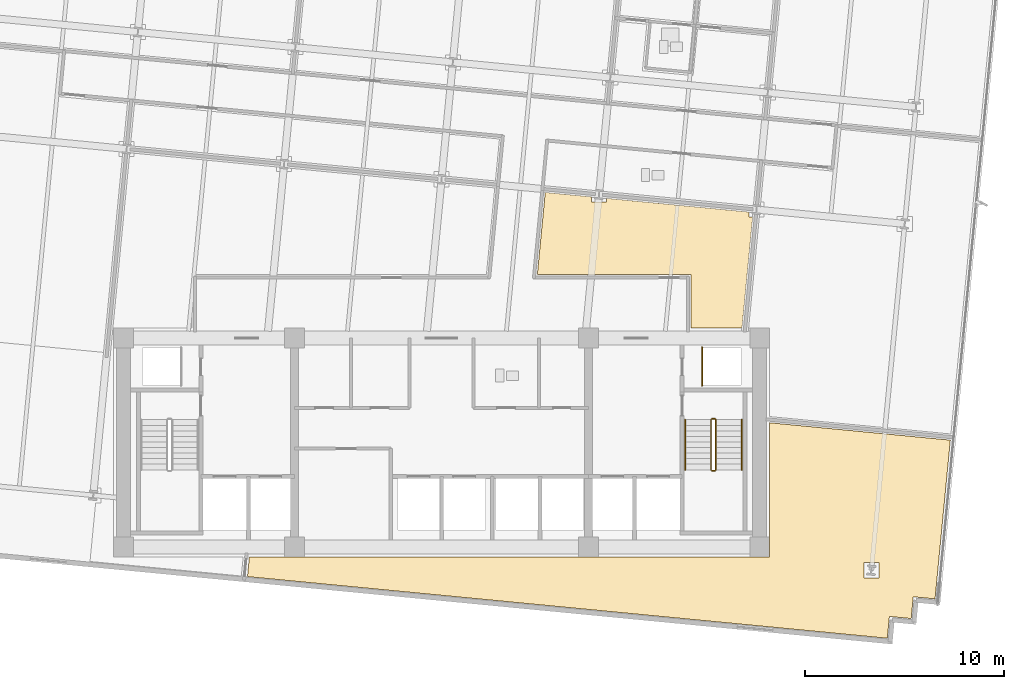
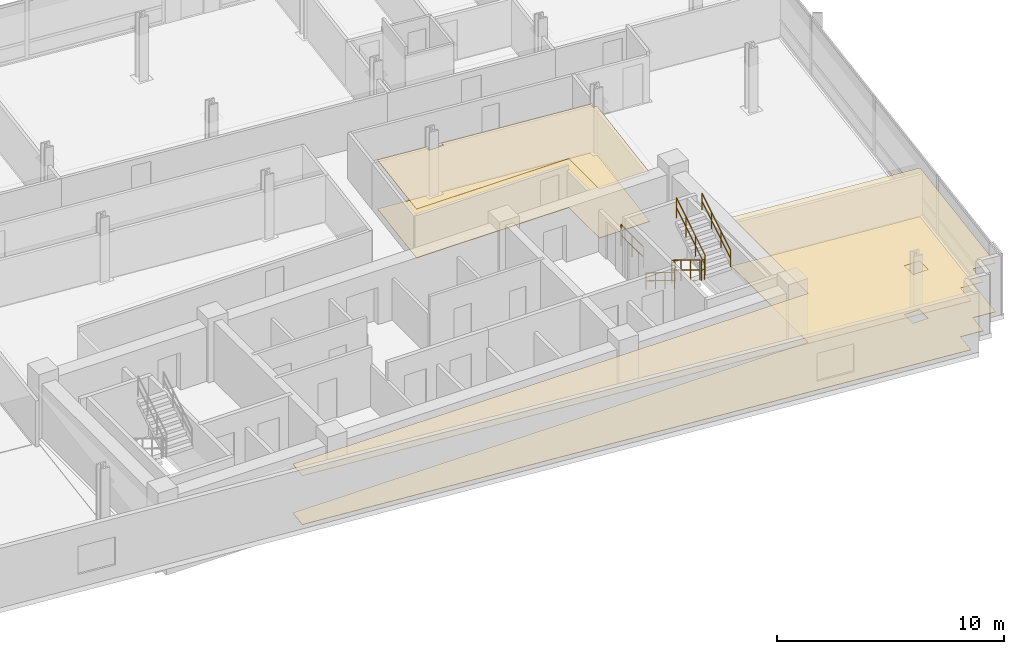
# One storey, part 14 of 16: 7 railings, 4 coverings.
"""IFC4 building model written with IfcOpenShell, lengths in metres."""

from ifc_helpers import new_model, si_unit, direction, frame, origin, origin_2d, place, context, subcontext, project, spatial, polyline, circle, outline, extrude, material, layer, layer_set, type_object, element, save


model = new_model("IFC4")

# Units and contexts
model_context = context("Model", 3, precision=1e-05, world=origin(), true_north=direction((0.0, 1.0)))
body_context = subcontext(model_context, "Body", "Model", "MODEL_VIEW")
ifc_project = project(units=[si_unit("LENGTHUNIT", "METRE"), si_unit("AREAUNIT", "SQUARE_METRE"), si_unit("VOLUMEUNIT", "CUBIC_METRE"), si_unit("PLANEANGLEUNIT", "RADIAN"), si_unit("MASSUNIT", "GRAM", prefix="KILO")], contexts=[model_context])

# Site, building, storey
site_placement = place(None, origin())
site = spatial("IfcSite", under=ifc_project, at=site_placement, CompositionType="ELEMENT")
building_placement = place(site_placement, origin())
building = spatial("IfcBuilding", under=site, at=building_placement, Name="Solmavex Isthmus Hotel", CompositionType="ELEMENT")
storey_placement = place(building_placement, frame((0.0, 0.0, 166.949951171875)))
storey = spatial("IfcBuildingStorey", under=building, at=storey_placement, Name="L45", CompositionType="ELEMENT", Elevation=166.949951171875)

# Coverings
ifc_material_1 = material(Name="Gypsum plasterboard lining", Category="gypsum")
ifc_layer_1 = layer(ifc_material_1, 0.030029296875)
ifc_layer_set_1 = layer_set([ifc_layer_1], Name="Gypsum plasterboard lining")
covering_type_1 = type_object("IfcCoveringType", Name="COV-CEIL-GYP", PredefinedType="CEILING", material=ifc_layer_set_1)
covering_1_placement = place(storey_placement, frame((0.0, 0.0, 2.6201171875)))
element("IfcCovering", 1, at=covering_1_placement, inside=storey, type_object=covering_type_1, Name="Suspended Acoustic Ceiling L45-FL07", PredefinedType="CEILING", context=body_context, shape_type="SweptSolid", body=[
    extrude(outline(polyline([(8.300537109375, 4.535400390625), (8.300537109375, 4.347900390625), (7.540771484375, 4.347900390625), (7.540771484375, 4.608642578125), (5.21533203125, 4.83251953125), (4.81787109375, 0.705078125), (12.554931640625, 0.705078125), (12.554931640625, -1.9951171875), (15.1103515625, -1.9951171875), (15.647705078125, 3.585205078125), (15.4599609375, 3.585205078125), (15.4599609375, 3.84619140625), (8.300537109375, 4.535400390625)])), origin(), (0.0, 0.0, 1.0), 0.030029296875),
])
covering_2_placement = place(storey_placement, frame((0.0, 0.0, 2.6201171875)))
element("IfcCovering", 2, at=covering_2_placement, inside=storey, type_object=covering_type_1, Name="Suspended Acoustic Ceiling L45-FL11", PredefinedType="CEILING", context=body_context, shape_type="SweptSolid", body=[
    extrude(outline(polyline([(21.59619140625, -17.51025390625), (22.41748046875, -17.58935546875), (22.496337890625, -16.768310546875), (22.522705078125, -16.494384765625), (23.61767578125, -16.599853515625), (23.72314453125, -15.5048828125), (24.818115234375, -15.6103515625), (24.897216796875, -14.789306640625), (25.5869140625, -7.62744140625), (16.5048828125, -6.7529296875), (16.5048828125, -13.5048828125), (-9.664794921875, -13.5048828125), (-9.6806640625, -13.669921875), (-9.759765625, -14.4912109375), (13.843994140625, -16.763916015625), (21.59619140625, -17.51025390625)]), holes=[polyline([(21.236328125, -14.552001953125), (21.236328125, -13.7919921875), (21.996337890625, -13.7919921875), (21.996337890625, -14.552001953125), (21.236328125, -14.552001953125)])]), origin(), (0.0, 0.0, 1.0), 0.030029296875),
])
ifc_material_2 = material(Name="Travertine natural stone", Category="masonry")
ifc_layer_2 = layer(ifc_material_2, 0.02490234375)
ifc_layer_set_2 = layer_set([ifc_layer_2], Name="Travertine natural stone")
covering_type_2 = type_object("IfcCoveringType", Name="COV-FLOR-STN", PredefinedType="FLOORING", material=ifc_layer_set_2)
covering_3_placement = place(storey_placement, origin())
element("IfcCovering", 3, at=covering_3_placement, inside=storey, type_object=covering_type_2, Name="Stone and Timber Floor Finish L45-FL07", PredefinedType="FLOORING", context=body_context, shape_type="SweptSolid", body=[
    extrude(outline(polyline([(8.300537109375, 4.535400390625), (8.300537109375, 4.347900390625), (7.540771484375, 4.347900390625), (7.540771484375, 4.608642578125), (5.21533203125, 4.83251953125), (4.81787109375, 0.705078125), (12.554931640625, 0.705078125), (12.554931640625, -1.9951171875), (15.1103515625, -1.9951171875), (15.647705078125, 3.585205078125), (15.4599609375, 3.585205078125), (15.4599609375, 3.84619140625), (8.300537109375, 4.535400390625)])), origin(), (0.0, 0.0, 1.0), 0.025146484375),
])
covering_4_placement = place(storey_placement, origin())
element("IfcCovering", 4, at=covering_4_placement, inside=storey, type_object=covering_type_2, Name="Stone and Timber Floor Finish L45-FL11", PredefinedType="FLOORING", context=body_context, shape_type="SweptSolid", body=[
    extrude(outline(polyline([(21.59619140625, -17.51025390625), (22.41748046875, -17.58935546875), (22.496337890625, -16.768310546875), (22.522705078125, -16.494384765625), (23.61767578125, -16.599853515625), (23.72314453125, -15.5048828125), (24.818115234375, -15.6103515625), (24.897216796875, -14.789306640625), (25.5869140625, -7.62744140625), (16.5048828125, -6.7529296875), (16.5048828125, -13.5048828125), (-9.664794921875, -13.5048828125), (-9.6806640625, -13.669921875), (-9.759765625, -14.4912109375), (13.843994140625, -16.763916015625), (21.59619140625, -17.51025390625)]), holes=[polyline([(21.236328125, -14.552001953125), (21.236328125, -13.7919921875), (21.996337890625, -13.7919921875), (21.996337890625, -14.552001953125), (21.236328125, -14.552001953125)])]), origin(), (0.0, 0.0, 1.0), 0.025146484375),
])

# Railings
ifc_material_3 = material(Name="Clear low-E laminated glass", Category="glass")
ifc_layer_3 = layer(ifc_material_3, 0.080078125)
ifc_layer_set_3 = layer_set([ifc_layer_3], Name="Clear low-E laminated glass")
railing_type_1 = type_object("IfcRailingType", Name="RAIL-ATRIUM-1120", PredefinedType="BALUSTRADE", material=ifc_layer_set_3)
railing_1_placement = place(storey_placement, frame((13.10009765625, -4.89990234375, 0.0)))
element("IfcRailing", 5, at=railing_1_placement, inside=storey, type_object=railing_type_1, Name="Guardrail Balustrade L45-RSE-01", PredefinedType="BALUSTRADE", context=body_context, shape_type="SweptSolid", body=[
    extrude(circle(Radius=0.02392578125, at=origin_2d()), frame((0.0, 0.0, 1.1259765625), z_axis=(0.0, 1.0, 0.0), x_axis=(-1.0, 0.0, 0.0)), (0.0, 0.0, 1.0), 1.949951171875),
    extrude(circle(Radius=0.02392578125, at=origin_2d()), frame((0.0, 0.0, 0.574951171875), z_axis=(0.0, 1.0, 0.0), x_axis=(-1.0, 0.0, 0.0)), (0.0, 0.0, 1.0), 1.949951171875),
    extrude(circle(Radius=0.02099609375, at=origin_2d()), origin(), (0.0, 0.0, 1.0), 1.101806640625),
    extrude(circle(Radius=0.02099609375, at=origin_2d()), frame((0.0, 0.97509765625, 0.0)), (0.0, 0.0, 1.0), 1.101806640625),
    extrude(circle(Radius=0.02099609375, at=origin_2d()), frame((0.0, 1.949951171875, 0.0)), (0.0, 0.0, 1.0), 1.101806640625),
])
ifc_material_4 = material(Name="Stainless steel 316", Category="steel")
ifc_layer_4 = layer(ifc_material_4, 0.06005859375)
ifc_layer_set_4 = layer_set([ifc_layer_4], Name="Stainless steel 316")
railing_type_2 = type_object("IfcRailingType", Name="RAIL-STAIR-GD", PredefinedType="GUARDRAIL", material=ifc_layer_set_4)
railing_2_placement = place(storey_placement, frame((13.550048828125, -6.60009765625, 0.172607421875)))
element("IfcRailing", 6, at=railing_2_placement, inside=storey, type_object=railing_type_2, Name="L45 ST-2 stair guard 1", PredefinedType="GUARDRAIL", context=body_context, shape_type="SweptSolid", body=[
    extrude(circle(Radius=0.02392578125, at=origin_2d()), frame((0.0, 0.0, 1.09619140625), z_axis=(0.0, -0.851400495292, 0.524516154772), x_axis=(1.0, 0.0, 0.0)), (0.0, 0.0, 1.0), 2.9599609375),
    extrude(circle(Radius=0.02392578125, at=origin_2d()), frame((0.0, 0.0, 0.56005859375), z_axis=(0.0, -0.851400495292, 0.524516154772), x_axis=(1.0, 0.0, 0.0)), (0.0, 0.0, 1.0), 2.9599609375),
    extrude(circle(Radius=0.02099609375, at=origin_2d()), origin(), (0.0, 0.0, 1.0), 1.072021484375),
    extrude(circle(Radius=0.02099609375, at=origin_2d()), frame((0.0, -0.840087890625, 0.517578125)), (0.0, 0.0, 1.0), 1.072021484375),
    extrude(circle(Radius=0.02099609375, at=origin_2d()), frame((0.0, -1.679931640625, 1.034912109375)), (0.0, 0.0, 1.0), 1.072021484375),
    extrude(circle(Radius=0.02099609375, at=origin_2d()), frame((0.0, -2.52001953125, 1.552490234375)), (0.0, 0.0, 1.0), 1.072021484375),
])
railing_3_placement = place(storey_placement, frame((13.60009765625, -9.169921875, 1.72509765625)))
element("IfcRailing", 7, at=railing_3_placement, inside=storey, type_object=railing_type_2, Name="L45 ST-2 stair guard 2", PredefinedType="GUARDRAIL", context=body_context, shape_type="SweptSolid", body=[
    extrude(circle(Radius=0.02392578125, at=origin_2d()), frame((0.0, 0.0, 1.09619140625), z_axis=(1.0, 0.0, 0.0), x_axis=(0.0, 1.0, 0.0)), (0.0, 0.0, 1.0), 0.14990234375),
    extrude(circle(Radius=0.02392578125, at=origin_2d()), frame((0.0, 0.0, 0.56005859375), z_axis=(1.0, 0.0, 0.0), x_axis=(0.0, 1.0, 0.0)), (0.0, 0.0, 1.0), 0.14990234375),
    extrude(circle(Radius=0.02099609375, at=origin_2d()), origin(), (0.0, 0.0, 1.0), 1.072021484375),
    extrude(circle(Radius=0.02099609375, at=origin_2d()), frame((0.14990234375, 0.0, 0.0)), (0.0, 0.0, 1.0), 1.072021484375),
])
railing_4_placement = place(storey_placement, frame((13.800048828125, -9.1201171875, 1.8974609375)))
element("IfcRailing", 8, at=railing_4_placement, inside=storey, type_object=railing_type_2, Name="L45 ST-2 stair guard 3", PredefinedType="GUARDRAIL", context=body_context, shape_type="SweptSolid", body=[
    extrude(circle(Radius=0.02392578125, at=origin_2d()), frame((0.0, 0.0, 1.09619140625), z_axis=(0.0, 0.851400495292, 0.524516154772), x_axis=(-1.0, 0.0, 0.0)), (0.0, 0.0, 1.0), 2.9599609375),
    extrude(circle(Radius=0.02392578125, at=origin_2d()), frame((0.0, 0.0, 0.56005859375), z_axis=(0.0, 0.851400495292, 0.524516154772), x_axis=(-1.0, 0.0, 0.0)), (0.0, 0.0, 1.0), 2.9599609375),
    extrude(circle(Radius=0.02099609375, at=origin_2d()), origin(), (0.0, 0.0, 1.0), 1.072021484375),
    extrude(circle(Radius=0.02099609375, at=origin_2d()), frame((0.0, 0.840087890625, 0.517578125)), (0.0, 0.0, 1.0), 1.072021484375),
    extrude(circle(Radius=0.02099609375, at=origin_2d()), frame((0.0, 1.679931640625, 1.034912109375)), (0.0, 0.0, 1.0), 1.072021484375),
    extrude(circle(Radius=0.02099609375, at=origin_2d()), frame((0.0, 2.52001953125, 1.552490234375)), (0.0, 0.0, 1.0), 1.072021484375),
])
railing_5_placement = place(storey_placement, frame((13.60009765625, -6.550048828125, 0.0)))
element("IfcRailing", 9, at=railing_5_placement, inside=storey, type_object=railing_type_2, Name="L45 ST-2 stair guard 4", PredefinedType="GUARDRAIL", context=body_context, shape_type="SweptSolid", body=[
    extrude(circle(Radius=0.02392578125, at=origin_2d()), frame((0.0, 0.0, 1.09619140625), z_axis=(1.0, 0.0, 0.0), x_axis=(0.0, 1.0, 0.0)), (0.0, 0.0, 1.0), 0.14990234375),
    extrude(circle(Radius=0.02392578125, at=origin_2d()), frame((0.0, 0.0, 0.56005859375), z_axis=(1.0, 0.0, 0.0), x_axis=(0.0, 1.0, 0.0)), (0.0, 0.0, 1.0), 0.14990234375),
    extrude(circle(Radius=0.02099609375, at=origin_2d()), origin(), (0.0, 0.0, 1.0), 1.072021484375),
    extrude(circle(Radius=0.02099609375, at=origin_2d()), frame((0.14990234375, 0.0, 0.0)), (0.0, 0.0, 1.0), 1.072021484375),
])
ifc_layer_5 = layer(ifc_material_4, 0.050048828125)
ifc_layer_set_5 = layer_set([ifc_layer_5], Name="Stainless steel 316")
railing_type_3 = type_object("IfcRailingType", Name="RAIL-STAIR-HR", PredefinedType="HANDRAIL", material=ifc_layer_set_5)
railing_6_placement = place(storey_placement, frame((12.25, -6.60009765625, 0.172607421875)))
element("IfcRailing", 10, at=railing_6_placement, inside=storey, type_object=railing_type_3, Name="L45 ST-2 stair handrail 1", PredefinedType="HANDRAIL", context=body_context, shape_type="SweptSolid", body=[
    extrude(circle(Radius=0.02392578125, at=origin_2d()), frame((0.0, 0.0, 0.8759765625), z_axis=(0.0, -0.851400495292, 0.524516154772), x_axis=(1.0, 0.0, 0.0)), (0.0, 0.0, 1.0), 2.9599609375),
    extrude(circle(Radius=0.02392578125, at=origin_2d()), frame((0.0, 0.0, 0.449951171875), z_axis=(0.0, -0.851400495292, 0.524516154772), x_axis=(1.0, 0.0, 0.0)), (0.0, 0.0, 1.0), 2.9599609375),
    extrude(circle(Radius=0.02099609375, at=origin_2d()), origin(), (0.0, 0.0, 1.0), 0.851806640625),
    extrude(circle(Radius=0.02099609375, at=origin_2d()), frame((0.0, -0.840087890625, 0.517578125)), (0.0, 0.0, 1.0), 0.851806640625),
    extrude(circle(Radius=0.02099609375, at=origin_2d()), frame((0.0, -1.679931640625, 1.034912109375)), (0.0, 0.0, 1.0), 0.851806640625),
    extrude(circle(Radius=0.02099609375, at=origin_2d()), frame((0.0, -2.52001953125, 1.552490234375)), (0.0, 0.0, 1.0), 0.851806640625),
])
railing_7_placement = place(storey_placement, frame((15.10009765625, -9.1201171875, 1.8974609375)))
element("IfcRailing", 11, at=railing_7_placement, inside=storey, type_object=railing_type_3, Name="L45 ST-2 stair handrail 2", PredefinedType="HANDRAIL", context=body_context, shape_type="SweptSolid", body=[
    extrude(circle(Radius=0.02392578125, at=origin_2d()), frame((0.0, 0.0, 0.8759765625), z_axis=(0.0, 0.851400495292, 0.524516154772), x_axis=(-1.0, 0.0, 0.0)), (0.0, 0.0, 1.0), 2.9599609375),
    extrude(circle(Radius=0.02392578125, at=origin_2d()), frame((0.0, 0.0, 0.449951171875), z_axis=(0.0, 0.851400495292, 0.524516154772), x_axis=(-1.0, 0.0, 0.0)), (0.0, 0.0, 1.0), 2.9599609375),
    extrude(circle(Radius=0.02099609375, at=origin_2d()), origin(), (0.0, 0.0, 1.0), 0.851806640625),
    extrude(circle(Radius=0.02099609375, at=origin_2d()), frame((0.0, 0.840087890625, 0.517578125)), (0.0, 0.0, 1.0), 0.851806640625),
    extrude(circle(Radius=0.02099609375, at=origin_2d()), frame((0.0, 1.679931640625, 1.034912109375)), (0.0, 0.0, 1.0), 0.851806640625),
    extrude(circle(Radius=0.02099609375, at=origin_2d()), frame((0.0, 2.52001953125, 1.552490234375)), (0.0, 0.0, 1.0), 0.851806640625),
])

save(model, "model.ifc")
